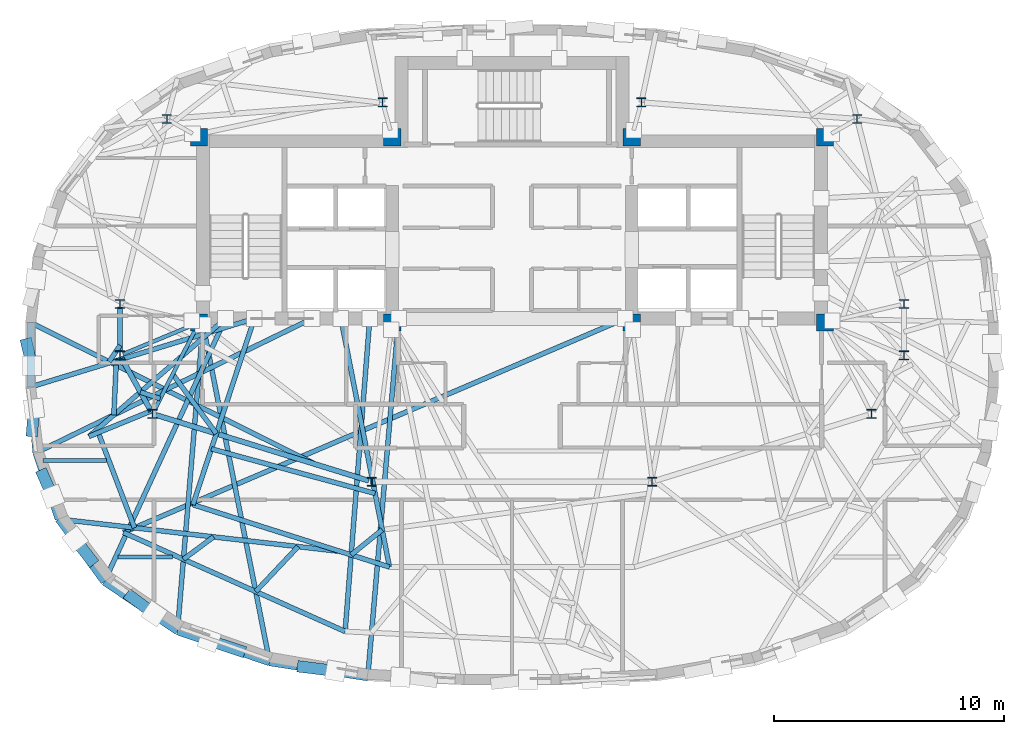
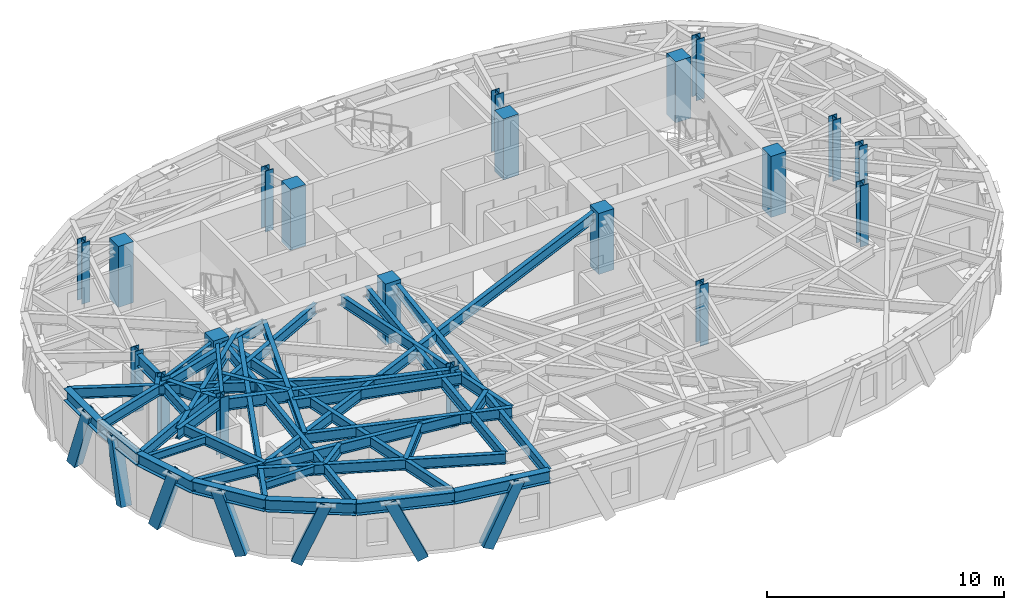
# One storey, part 1 of 12: 39 beams, 20 columns, 7 members.
"""IFC4 building model written with IfcOpenShell, lengths in metres."""

from ifc_helpers import new_model, si_unit, direction, frame, origin, origin_2d, place, context, subcontext, project, spatial, rectangle, hollow_rectangle, i_section, extrude, material, material_profile, profile_set, type_object, element, save


model = new_model("IFC4")

# Units and contexts
model_context = context("Model", 3, precision=1e-05, world=origin(), true_north=direction((0.0, 1.0)))
body_context = subcontext(model_context, "Body", "Model", "MODEL_VIEW")
ifc_project = project(units=[si_unit("LENGTHUNIT", "METRE"), si_unit("AREAUNIT", "SQUARE_METRE"), si_unit("VOLUMEUNIT", "CUBIC_METRE"), si_unit("PLANEANGLEUNIT", "RADIAN"), si_unit("MASSUNIT", "GRAM", prefix="KILO")], contexts=[model_context])

# Site, building, storey
site_placement = place(None, origin())
site = spatial("IfcSite", under=ifc_project, at=site_placement, CompositionType="ELEMENT")
building_placement = place(site_placement, origin())
building = spatial("IfcBuilding", under=site, at=building_placement, Name="Keldmark Tower", CompositionType="ELEMENT")
storey_placement = place(building_placement, frame((0.0, 0.0, 247.800048828125)))
storey = spatial("IfcBuildingStorey", under=building, at=storey_placement, Name="L70", CompositionType="ELEMENT", Elevation=247.800048828125)

# Columns
ifc_material_1 = material(Name="Concrete C50/60", Category="concrete")
ifc_material_profile_1 = material_profile(ifc_material_1, rectangle(XDim=0.75, YDim=0.75, at=origin_2d()), Name="RC750X750")
ifc_profile_set_1 = profile_set([ifc_material_profile_1], Name="Concrete C50/60")
column_type_1 = type_object("IfcColumnType", Name="Core Boundary Column RC750", PredefinedType="PILASTER", material=ifc_profile_set_1)
for number, where, z_axis, x_axis, name in (
    (1, (-13.60009765625, 1.39990234375, 0.0), (0.0, 0.0, 1.0), (1.0, 0.0, 0.0), "L70 Core Boundary Column CC-W1"),
    (2, (-13.60009765625, 9.449951171875, 0.0), (0.0, 0.0, 1.0), (1.0, 0.0, 0.0), "L70 Core Boundary Column CC-W2"),
    (3, (-5.199951171875, 1.39990234375, 0.0), (0.0, 0.0, 1.0), (1.0, 0.0, 0.0), "L70 Core Boundary Column CC-W3"),
    (4, (-5.199951171875, 9.449951171875, 0.0), (0.0, 0.0, 1.0), (1.0, 0.0, 0.0), "L70 Core Boundary Column CC-W4"),
    (5, (5.199951171875, 1.39990234375, 0.0), (0.0, 0.0, 1.0), (1.0, 0.0, 0.0), "L70 Core Boundary Column CC-E1"),
    (6, (5.199951171875, 9.449951171875, 0.0), (0.0, 0.0, 1.0), (1.0, 0.0, 0.0), "L70 Core Boundary Column CC-E2"),
    (7, (13.60009765625, 1.39990234375, 0.0), (0.0, 0.0, 1.0), (1.0, 0.0, 0.0), "L70 Core Boundary Column CC-E3"),
    (8, (13.60009765625, 9.449951171875, 0.0), (0.0, 0.0, 1.0), (1.0, 0.0, 0.0), "L70 Core Boundary Column CC-E4"),
):
    element("IfcColumn", number, at=place(storey_placement, frame(where, z_axis=z_axis, x_axis=x_axis)), inside=storey, type_object=column_type_1, Name=name, PredefinedType="PILASTER", context=body_context, shape_type="SweptSolid", body=[
        extrude(rectangle(XDim=0.75, YDim=0.75, at=origin_2d()), origin(), (0.0, 0.0, 1.0), 3.14990234375),
    ])
ifc_material_2 = material(Name="Steel ASTM A992 Grade 50", Category="steel")
ifc_material_profile_2 = material_profile(ifc_material_2, i_section(OverallWidth=0.39892578125, OverallDepth=0.386962890625, WebThickness=0.02099609375, FlangeThickness=0.033203125, at=origin_2d()), Name="W14X176")
ifc_profile_set_2 = profile_set([ifc_material_profile_2], Name="Steel ASTM A992 Grade 50")
column_type_2 = type_object("IfcColumnType", Name="Tower Gravity Column W14X176", PredefinedType="COLUMN", material=ifc_profile_set_2)
for number, where, z_axis, x_axis, name in (
    (9, (17.025634765625, 2.2080078125, 0.0), (0.0, 0.0, 1.0), (1.0, 0.0, 0.0), "L70 Tower Gravity Column TC-E1"),
    (10, (14.995849609375, 10.24365234375, 0.0), (0.0, 0.0, 1.0), (1.0, 0.0, 0.0), "L70 Tower Gravity Column TC-E4"),
    (11, (5.61865234375, 10.967041015625, 0.0), (0.0, 0.0, 1.0), (1.0, 0.0, 0.0), "L70 Tower Gravity Column TC-N2"),
    (12, (-5.61865234375, 10.967041015625, 0.0), (0.0, 0.0, 1.0), (1.0, 0.0, 0.0), "L70 Tower Gravity Column TC-N1"),
    (13, (-14.995849609375, 10.24365234375, 0.0), (0.0, 0.0, 1.0), (1.0, 0.0, 0.0), "L70 Tower Gravity Column TC-W4"),
    (14, (-17.025634765625, 2.2080078125, 0.0), (0.0, 0.0, 1.0), (1.0, 0.0, 0.0), "L70 Tower Gravity Column TC-W1"),
    (15, (-17.025634765625, -0.02392578125, 0.0), (0.0, 0.0, 1.0), (1.0, 0.0, 0.0), "L70 Tower Gravity Column TC-W5"),
    (16, (-15.6162109375, -2.5673828125, 0.0), (0.0, 0.0, 1.0), (1.0, 0.0, 0.0), "L70 Tower Gravity Column TC-W2"),
    (17, (-6.089599609375, -5.512939453125, 0.0), (0.0, 0.0, 1.0), (1.0, 0.0, 0.0), "L70 Tower Gravity Column TC-W3"),
    (18, (6.089599609375, -5.512939453125, 0.0), (0.0, 0.0, 1.0), (1.0, 0.0, 0.0), "L70 Tower Gravity Column TC-E3"),
    (19, (15.6162109375, -2.5673828125, 0.0), (0.0, 0.0, 1.0), (1.0, 0.0, 0.0), "L70 Tower Gravity Column TC-E2"),
    (20, (17.025634765625, -0.02392578125, 0.0), (0.0, 0.0, 1.0), (1.0, 0.0, 0.0), "L70 Tower Gravity Column TC-E5"),
):
    element("IfcColumn", number, at=place(storey_placement, frame(where, z_axis=z_axis, x_axis=x_axis)), inside=storey, type_object=column_type_2, Name=name, PredefinedType="COLUMN", context=body_context, shape_type="SweptSolid", body=[
        extrude(i_section(OverallWidth=0.39892578125, OverallDepth=0.386962890625, WebThickness=0.02099609375, FlangeThickness=0.033203125, at=origin_2d()), origin(), (0.0, 0.0, 1.0), 3.14990234375),
    ])

# Beams
ifc_material_3 = material(Name="Steel ASTM A992 Grade 50", Category="steel")
ifc_material_profile_3 = material_profile(ifc_material_3, i_section(OverallWidth=0.177978515625, OverallDepth=0.403076171875, WebThickness=0.007568359375, FlangeThickness=0.010986328125, at=origin_2d()), Name="W16X36")
ifc_profile_set_3 = profile_set([ifc_material_profile_3], Name="Steel ASTM A992 Grade 50")
beam_type_1 = type_object("IfcBeamType", Name="Composite Floor Joist W16X36", PredefinedType="JOIST", material=ifc_profile_set_3)
beam_1_placement = place(storey_placement, frame((-17.1083984375, -8.780029296875, 2.7685546875), z_axis=(1.0, 0.0, 0.0), x_axis=(0.0, 1.0, 0.0)))
element("IfcBeam", 21, at=beam_1_placement, inside=storey, type_object=beam_type_1, Name="L70 Composite Floor Joist J01", PredefinedType="JOIST", context=body_context, shape_type="SweptSolid", body=[
    extrude(i_section(OverallWidth=0.177978515625, OverallDepth=0.403076171875, WebThickness=0.007568359375, FlangeThickness=0.010986328125, at=origin_2d()), origin(), (0.0, 0.0, 1.0), 2.361328125),
])
beam_2_placement = place(storey_placement, frame((-20.3798828125, -4.60009765625, 2.7685546875), z_axis=(1.0, 0.0, 0.0), x_axis=(0.0, 1.0, 0.0)))
element("IfcBeam", 22, at=beam_2_placement, inside=storey, type_object=beam_type_1, Name="L70 Composite Floor Joist J03", PredefinedType="JOIST", context=body_context, shape_type="SweptSolid", body=[
    extrude(i_section(OverallWidth=0.177978515625, OverallDepth=0.403076171875, WebThickness=0.007568359375, FlangeThickness=0.010986328125, at=origin_2d()), origin(), (0.0, 0.0, 1.0), 2.76806640625),
])

# Members
ifc_material_4 = material(Name="Steel ASTM A572 Grade 50", Category="steel")
ifc_material_profile_4 = material_profile(ifc_material_4, hollow_rectangle(XDim=0.5, YDim=0.5, WallThickness=0.030029296875, at=origin_2d()), Name="BOX500X500X30")
ifc_profile_set_4 = profile_set([ifc_material_profile_4], Name="Steel ASTM A572 Grade 50")
member_type = type_object("IfcMemberType", Name="Diagrid Upper Brace BOX500X500X30", PredefinedType="BRACE", material=ifc_profile_set_4)
member_1_placement = place(storey_placement, frame((-21.07470703125, 0.464599609375, -0.260009765625), z_axis=(0.069071309834, -0.28745964234, 0.955298962725), x_axis=(0.972325096708, 0.23363198906, 0.0)))
element("IfcMember", 23, at=member_1_placement, inside=storey, type_object=member_type, Name="L70 Perimeter Diagrid Brace 08B", PredefinedType="BRACE", context=body_context, shape_type="SweptSolid", body=[
    extrude(hollow_rectangle(XDim=0.5, YDim=0.5, WallThickness=0.030029296875, at=origin_2d()), origin(), (0.0, 0.0, 1.0), 3.25537109375),
])
member_2_placement = place(storey_placement, frame((-20.84619140625, -3.3154296875, -0.260009765625), z_axis=(0.02434048137, 0.29882621744, 0.953997082143), x_axis=(-0.996699069196, 0.081184761275, 0.0)))
element("IfcMember", 24, at=member_2_placement, inside=storey, type_object=member_type, Name="L70 Perimeter Diagrid Brace 09A", PredefinedType="BRACE", context=body_context, shape_type="SweptSolid", body=[
    extrude(hollow_rectangle(XDim=0.5, YDim=0.5, WallThickness=0.030029296875, at=origin_2d()), origin(), (0.0, 0.0, 1.0), 3.259765625),
])
member_3_placement = place(storey_placement, frame((-20.374755859375, -5.215087890625, -0.260009765625), z_axis=(0.127139635988, -0.287517418312, 0.949299345374), x_axis=(0.9145724362, 0.404422129641, 0.0)))
element("IfcMember", 25, at=member_3_placement, inside=storey, type_object=member_type, Name="L70 Perimeter Diagrid Brace 09B", PredefinedType="BRACE", context=body_context, shape_type="SweptSolid", body=[
    extrude(hollow_rectangle(XDim=0.5, YDim=0.5, WallThickness=0.030029296875, at=origin_2d()), origin(), (0.0, 0.0, 1.0), 3.27587890625),
])
member_4_placement = place(storey_placement, frame((-18.290283203125, -8.90380859375, -0.260009765625), z_axis=(-0.208257888587, 0.26894132865, 0.940371848571), x_axis=(-0.790659312829, -0.612256360552, 0.0)))
element("IfcMember", 26, at=member_4_placement, inside=storey, type_object=member_type, Name="L70 Perimeter Diagrid Brace 10A", PredefinedType="BRACE", context=body_context, shape_type="SweptSolid", body=[
    extrude(hollow_rectangle(XDim=0.5, YDim=0.5, WallThickness=0.030029296875, at=origin_2d()), origin(), (0.0, 0.0, 1.0), 3.30712890625),
])
member_5_placement = place(storey_placement, frame((-16.55615234375, -10.50341796875, -0.260009765625), z_axis=(0.301251358752, -0.222936195182, 0.92711761483), x_axis=(0.594860573882, 0.803828898237, 0.0)))
element("IfcMember", 27, at=member_5_placement, inside=storey, type_object=member_type, Name="L70 Perimeter Diagrid Brace 10B", PredefinedType="BRACE", context=body_context, shape_type="SweptSolid", body=[
    extrude(hollow_rectangle(XDim=0.5, YDim=0.5, WallThickness=0.030029296875, at=origin_2d()), origin(), (0.0, 0.0, 1.0), 3.354248046875),
])
member_6_placement = place(storey_placement, frame((-11.817138671875, -12.855712890625, -0.260009765625), z_axis=(-0.392945244347, 0.130695917787, 0.910226681667), x_axis=(-0.315606493533, -0.948890162896, 0.0)))
element("IfcMember", 28, at=member_6_placement, inside=storey, type_object=member_type, Name="L70 Perimeter Diagrid Brace 11A", PredefinedType="BRACE", context=body_context, shape_type="SweptSolid", body=[
    extrude(hollow_rectangle(XDim=0.5, YDim=0.5, WallThickness=0.030029296875, at=origin_2d()), origin(), (0.0, 0.0, 1.0), 3.41650390625),
])
member_7_placement = place(storey_placement, frame((-9.098876953125, -13.557373046875, -0.260009765625), z_axis=(0.41965301128, -0.052287669654, 0.906177327969), x_axis=(0.123641349956, 0.9923269706, 0.0)))
element("IfcMember", 29, at=member_7_placement, inside=storey, type_object=member_type, Name="L70 Perimeter Diagrid Brace 11B", PredefinedType="BRACE", context=body_context, shape_type="SweptSolid", body=[
    extrude(hollow_rectangle(XDim=0.5, YDim=0.5, WallThickness=0.030029296875, at=origin_2d()), origin(), (0.0, 0.0, 1.0), 3.431884765625),
])

# Beams
ifc_material_5 = material(Name="Steel ASTM A992 Grade 50", Category="steel")
ifc_material_profile_5 = material_profile(ifc_material_5, i_section(OverallWidth=0.22802734375, OverallDepth=0.60302734375, WebThickness=0.010498046875, FlangeThickness=0.014892578125, at=origin_2d()), Name="W24X68")
ifc_profile_set_5 = profile_set([ifc_material_profile_5], Name="Steel ASTM A992 Grade 50")
beam_type_2 = type_object("IfcBeamType", Name="Primary Floor Girder W24X68", PredefinedType="BEAM", material=ifc_profile_set_5)
beam_3_placement = place(storey_placement, frame((-17.025634765625, 2.068115234375, 2.66845703125), z_axis=(0.0, -1.0, 0.0), x_axis=(1.0, 0.0, 0.0)))
element("IfcBeam", 30, at=beam_3_placement, inside=storey, type_object=beam_type_2, Name="L70 Floor Ring Girder FG-R06", PredefinedType="BEAM", context=body_context, shape_type="SweptSolid", body=[
    extrude(i_section(OverallWidth=0.22802734375, OverallDepth=0.60302734375, WebThickness=0.010498046875, FlangeThickness=0.014892578125, at=origin_2d()), origin(), (0.0, 0.0, 1.0), 1.9521484375),
])
beam_4_placement = place(storey_placement, frame((-16.957763671875, -0.146484375, 2.66845703125), z_axis=(0.484719680408, -0.874669555561, 0.0), x_axis=(0.874669555561, 0.484719680408, 0.0)))
element("IfcBeam", 31, at=beam_4_placement, inside=storey, type_object=beam_type_2, Name="L70 Floor Ring Girder FG-R07", PredefinedType="BEAM", context=body_context, shape_type="SweptSolid", body=[
    extrude(i_section(OverallWidth=0.22802734375, OverallDepth=0.60302734375, WebThickness=0.010498046875, FlangeThickness=0.014892578125, at=origin_2d()), origin(), (0.0, 0.0, 1.0), 2.627685546875),
])
beam_5_placement = place(storey_placement, frame((-15.482421875, -2.60888671875, 2.66845703125), z_axis=(0.955383255089, -0.295368982622, 0.0), x_axis=(0.295368982622, 0.955383255089, 0.0)))
element("IfcBeam", 32, at=beam_5_placement, inside=storey, type_object=beam_type_2, Name="L70 Floor Ring Girder FG-R08", PredefinedType="BEAM", context=body_context, shape_type="SweptSolid", body=[
    extrude(i_section(OverallWidth=0.22802734375, OverallDepth=0.60302734375, WebThickness=0.010498046875, FlangeThickness=0.014892578125, at=origin_2d()), origin(), (0.0, 0.0, 1.0), 9.69140625),
])
ifc_material_6 = material(Name="Steel ASTM A992 Grade 50", Category="steel")
ifc_material_profile_6 = material_profile(ifc_material_6, i_section(OverallWidth=0.166015625, OverallDepth=0.529052734375, WebThickness=0.009765625, FlangeThickness=0.013671875, at=origin_2d()), Name="W21X50")
ifc_profile_set_6 = profile_set([ifc_material_profile_6], Name="Steel ASTM A992 Grade 50")
beam_type_3 = type_object("IfcBeamType", Name="Radial Tie Girder W21X50", PredefinedType="BEAM", material=ifc_profile_set_6)
beam_6_placement = place(storey_placement, frame((-16.896240234375, 0.02978515625, 2.70556640625), z_axis=(0.923403331902, 0.383831065226, 0.0), x_axis=(-0.383831065226, 0.923403331902, 0.0)))
element("IfcBeam", 33, at=beam_6_placement, inside=storey, type_object=beam_type_3, Name="L70 Floor Radial Girder FG-C07", PredefinedType="BEAM", context=body_context, shape_type="SweptSolid", body=[
    extrude(i_section(OverallWidth=0.166015625, OverallDepth=0.529052734375, WebThickness=0.009765625, FlangeThickness=0.013671875, at=origin_2d()), origin(), (0.0, 0.0, 1.0), 3.249755859375),
])
beam_7_placement = place(storey_placement, frame((-15.552734375, -2.442626953125, 2.70556640625), z_axis=(0.453004410574, 0.89150827478, 0.0), x_axis=(-0.89150827478, 0.453004410574, 0.0)))
element("IfcBeam", 34, at=beam_7_placement, inside=storey, type_object=beam_type_3, Name="L70 Floor Radial Girder FG-C08", PredefinedType="BEAM", context=body_context, shape_type="SweptSolid", body=[
    extrude(i_section(OverallWidth=0.166015625, OverallDepth=0.529052734375, WebThickness=0.009765625, FlangeThickness=0.013671875, at=origin_2d()), origin(), (0.0, 0.0, 1.0), 3.990234375),
])
ifc_material_7 = material(Name="Steel ASTM A992 Grade 50", Category="steel")
ifc_material_profile_7 = material_profile(ifc_material_7, i_section(OverallWidth=0.2099609375, OverallDepth=0.537109375, WebThickness=0.010986328125, FlangeThickness=0.017333984375, at=origin_2d()), Name="W21X68")
ifc_profile_set_7 = profile_set([ifc_material_profile_7], Name="Steel ASTM A992 Grade 50")
beam_type_4 = type_object("IfcBeamType", Name="Radial Tie Girder W21X68", PredefinedType="BEAM", material=ifc_profile_set_7)
beam_8_placement = place(storey_placement, frame((-14.7392578125, -0.841796875, 2.701416015625), z_axis=(0.59182597724, -0.806065761997, 0.0), x_axis=(0.806065761997, 0.59182597724, 0.0)))
element("IfcBeam", 35, at=beam_8_placement, inside=storey, type_object=beam_type_4, Name="L70 Framing Pin Header PH-001", PredefinedType="BEAM", context=body_context, shape_type="SweptSolid", body=[
    extrude(i_section(OverallWidth=0.2099609375, OverallDepth=0.537109375, WebThickness=0.010986328125, FlangeThickness=0.017333984375, at=origin_2d()), origin(), (0.0, 0.0, 1.0), 3.204345703125),
])
beam_9_placement = place(storey_placement, frame((-11.19287109375, 1.574951171875, 2.701416015625), z_axis=(-0.313362200082, -0.949633682827, 0.0), x_axis=(0.949633682827, -0.313362200082, 0.0)))
element("IfcBeam", 36, at=beam_9_placement, inside=storey, type_object=beam_type_4, Name="L70 Sub-Ring Step Girder STP1-M08", PredefinedType="BEAM", context=body_context, shape_type="SweptSolid", body=[
    extrude(i_section(OverallWidth=0.2099609375, OverallDepth=0.537109375, WebThickness=0.010986328125, FlangeThickness=0.017333984375, at=origin_2d()), origin(), (0.0, 0.0, 1.0), 8.515625),
])
beam_10_placement = place(storey_placement, frame((-13.060791015625, -4.085693359375, 2.701416015625), z_axis=(0.964803544064, -0.262971712093, 0.0), x_axis=(0.262971712093, 0.964803544064, 0.0)))
element("IfcBeam", 37, at=beam_10_placement, inside=storey, type_object=beam_type_4, Name="L70 Framing Pin Header PH-002", PredefinedType="BEAM", context=body_context, shape_type="SweptSolid", body=[
    extrude(i_section(OverallWidth=0.2099609375, OverallDepth=0.537109375, WebThickness=0.010986328125, FlangeThickness=0.017333984375, at=origin_2d()), origin(), (0.0, 0.0, 1.0), 7.373291015625),
])
beam_11_placement = place(storey_placement, frame((-7.43212890625, 1.574951171875, 2.701416015625), z_axis=(0.191777862453, -0.981438358468, 0.0), x_axis=(0.981438358468, 0.191777862453, 0.0)))
element("IfcBeam", 38, at=beam_11_placement, inside=storey, type_object=beam_type_4, Name="L70 Sub-Ring Step Girder STP1-M09", PredefinedType="BEAM", context=body_context, shape_type="SweptSolid", body=[
    extrude(i_section(OverallWidth=0.2099609375, OverallDepth=0.537109375, WebThickness=0.010986328125, FlangeThickness=0.017333984375, at=origin_2d()), origin(), (0.0, 0.0, 1.0), 11.000244140625),
])
beam_12_placement = place(storey_placement, frame((-13.861328125, -6.51171875, 2.701416015625), z_axis=(0.953164928695, -0.302451018689, 0.0), x_axis=(0.302451018689, 0.953164928695, 0.0)))
element("IfcBeam", 39, at=beam_12_placement, inside=storey, type_object=beam_type_4, Name="L70 Perimeter Collector Ring Beam CRG1-M08", PredefinedType="BEAM", context=body_context, shape_type="SweptSolid", body=[
    extrude(i_section(OverallWidth=0.2099609375, OverallDepth=0.537109375, WebThickness=0.010986328125, FlangeThickness=0.017333984375, at=origin_2d()), origin(), (0.0, 0.0, 1.0), 8.95849609375),
])
beam_13_placement = place(storey_placement, frame((4.925048828125, 1.574951171875, 2.701416015625), z_axis=(-0.919898290676, -0.392157028258, 0.0), x_axis=(0.392157028258, -0.919898290676, 0.0)))
element("IfcBeam", 40, at=beam_13_placement, inside=storey, type_object=beam_type_4, Name="L70 Sub-Ring Step Girder STP2-M08", PredefinedType="BEAM", context=body_context, shape_type="SweptSolid", body=[
    extrude(i_section(OverallWidth=0.2099609375, OverallDepth=0.537109375, WebThickness=0.010986328125, FlangeThickness=0.017333984375, at=origin_2d()), origin(), (0.0, 0.0, 1.0), 23.7021484375),
])
beam_14_placement = place(storey_placement, frame((-5.638916015625, -7.601806640625, 2.701416015625), z_axis=(-0.777438204529, -0.628959329479, 0.0), x_axis=(0.628959329479, -0.777438204529, 0.0)))
element("IfcBeam", 41, at=beam_14_placement, inside=storey, type_object=beam_type_4, Name="L70 Framing Pin Header PH-006", PredefinedType="BEAM", context=body_context, shape_type="SweptSolid", body=[
    extrude(i_section(OverallWidth=0.2099609375, OverallDepth=0.537109375, WebThickness=0.010986328125, FlangeThickness=0.017333984375, at=origin_2d()), origin(), (0.0, 0.0, 1.0), 1.734619140625),
])
beam_15_placement = place(storey_placement, frame((-6.1787109375, 1.574951171875, 2.701416015625), z_axis=(-0.078525492918, -0.996912105936, 0.0), x_axis=(0.996912105936, -0.078525492918, 0.0)))
element("IfcBeam", 42, at=beam_15_placement, inside=storey, type_object=beam_type_4, Name="L70 Sub-Ring Step Girder STP2-M09", PredefinedType="BEAM", context=body_context, shape_type="SweptSolid", body=[
    extrude(i_section(OverallWidth=0.2099609375, OverallDepth=0.537109375, WebThickness=0.010986328125, FlangeThickness=0.017333984375, at=origin_2d()), origin(), (0.0, 0.0, 1.0), 13.63623046875),
])
beam_16_placement = place(storey_placement, frame((-16.87841796875, -7.719970703125, 2.701416015625), z_axis=(0.913113257577, -0.407705995586, 0.0), x_axis=(0.407705995586, 0.913113257577, 0.0)))
element("IfcBeam", 43, at=beam_16_placement, inside=storey, type_object=beam_type_4, Name="L70 Perimeter Collector Ring Beam CRG2-M08", PredefinedType="BEAM", context=body_context, shape_type="SweptSolid", body=[
    extrude(i_section(OverallWidth=0.2099609375, OverallDepth=0.537109375, WebThickness=0.010986328125, FlangeThickness=0.017333984375, at=origin_2d()), origin(), (0.0, 0.0, 1.0), 10.545166015625),
])
beam_17_placement = place(storey_placement, frame((-17.025634765625, 0.40869140625, 2.701416015625), z_axis=(-0.559054680224, -0.829130788549, 0.0), x_axis=(0.829130788549, -0.559054680224, 0.0)))
element("IfcBeam", 44, at=beam_17_placement, inside=storey, type_object=beam_type_4, Name="L70 Framing Pin Header PH-016", PredefinedType="BEAM", context=body_context, shape_type="SweptSolid", body=[
    extrude(i_section(OverallWidth=0.2099609375, OverallDepth=0.537109375, WebThickness=0.010986328125, FlangeThickness=0.017333984375, at=origin_2d()), origin(), (0.0, 0.0, 1.0), 0.8525390625),
])
beam_18_placement = place(storey_placement, frame((-8.5380859375, -4.755859375, 2.701416015625), z_axis=(-0.895396934478, 0.445268828605, 0.0), x_axis=(-0.445268828605, -0.895396934478, 0.0)))
element("IfcBeam", 45, at=beam_18_placement, inside=storey, type_object=beam_type_4, Name="L70 Perimeter Radial Tie Girder RT-16", PredefinedType="BEAM", context=body_context, shape_type="SweptSolid", body=[
    extrude(i_section(OverallWidth=0.2099609375, OverallDepth=0.537109375, WebThickness=0.010986328125, FlangeThickness=0.017333984375, at=origin_2d()), origin(), (0.0, 0.0, 1.0), 13.816650390625),
])
beam_19_placement = place(storey_placement, frame((-11.19287109375, 1.574951171875, 2.701416015625), z_axis=(-0.956289809482, -0.29242058799, 0.0), x_axis=(0.29242058799, -0.956289809482, 0.0)))
element("IfcBeam", 46, at=beam_19_placement, inside=storey, type_object=beam_type_4, Name="L70 Perimeter Radial Tie Girder RT-17", PredefinedType="BEAM", context=body_context, shape_type="SweptSolid", body=[
    extrude(i_section(OverallWidth=0.2099609375, OverallDepth=0.537109375, WebThickness=0.010986328125, FlangeThickness=0.017333984375, at=origin_2d()), origin(), (0.0, 0.0, 1.0), 10.16064453125),
])
beam_20_placement = place(storey_placement, frame((-15.281494140625, -1.908935546875, 2.701416015625), z_axis=(-0.947060345832, 0.321055604766, 0.0), x_axis=(-0.321055604766, -0.947060345832, 0.0)))
element("IfcBeam", 47, at=beam_20_placement, inside=storey, type_object=beam_type_4, Name="L70 Framing Pin Header PH-017", PredefinedType="BEAM", context=body_context, shape_type="SweptSolid", body=[
    extrude(i_section(OverallWidth=0.2099609375, OverallDepth=0.537109375, WebThickness=0.010986328125, FlangeThickness=0.017333984375, at=origin_2d()), origin(), (0.0, 0.0, 1.0), 0.909423828125),
])
beam_21_placement = place(storey_placement, frame((-12.4462890625, 1.574951171875, 2.701416015625), z_axis=(-0.756865043916, -0.653571193748, 0.0), x_axis=(0.653571193748, -0.756865043916, 0.0)))
element("IfcBeam", 48, at=beam_21_placement, inside=storey, type_object=beam_type_4, Name="L70 Intermediate Radial Step Girder RT-18M", PredefinedType="BEAM", context=body_context, shape_type="SweptSolid", body=[
    extrude(i_section(OverallWidth=0.2099609375, OverallDepth=0.537109375, WebThickness=0.010986328125, FlangeThickness=0.017333984375, at=origin_2d()), origin(), (0.0, 0.0, 1.0), 7.835205078125),
])
beam_22_placement = place(storey_placement, frame((-15.68408203125, -2.44482421875, 2.701416015625), z_axis=(-0.925589732763, -0.378528263943, 0.0), x_axis=(0.378528263943, -0.925589732763, 0.0)))
element("IfcBeam", 49, at=beam_22_placement, inside=storey, type_object=beam_type_4, Name="L70 Local Collector Chord RT-18C", PredefinedType="BEAM", context=body_context, shape_type="SweptSolid", body=[
    extrude(i_section(OverallWidth=0.2099609375, OverallDepth=0.537109375, WebThickness=0.010986328125, FlangeThickness=0.017333984375, at=origin_2d()), origin(), (0.0, 0.0, 1.0), 2.908935546875),
])
beam_23_placement = place(storey_placement, frame((-17.197998046875, -0.44921875, 2.701416015625), z_axis=(-0.045315620997, -0.998972719594, 0.0), x_axis=(0.998972719594, -0.045315620997, 0.0)))
element("IfcBeam", 50, at=beam_23_placement, inside=storey, type_object=beam_type_4, Name="L70 Framing Pin Header PH-018", PredefinedType="BEAM", context=body_context, shape_type="SweptSolid", body=[
    extrude(i_section(OverallWidth=0.2099609375, OverallDepth=0.537109375, WebThickness=0.010986328125, FlangeThickness=0.017333984375, at=origin_2d()), origin(), (0.0, 0.0, 1.0), 2.165771484375),
])
beam_24_placement = place(storey_placement, frame((-8.685791015625, 1.574951171875, 2.701416015625), z_axis=(-0.899272512608, -0.437388783656, 0.0), x_axis=(0.437388783656, -0.899272512608, 0.0)))
element("IfcBeam", 51, at=beam_24_placement, inside=storey, type_object=beam_type_4, Name="L70 Perimeter Radial Tie Girder RT-18", PredefinedType="BEAM", context=body_context, shape_type="SweptSolid", body=[
    extrude(i_section(OverallWidth=0.2099609375, OverallDepth=0.537109375, WebThickness=0.010986328125, FlangeThickness=0.017333984375, at=origin_2d()), origin(), (0.0, 0.0, 1.0), 13.31591796875),
])
beam_25_placement = place(storey_placement, frame((-17.97265625, -3.380615234375, 2.701416015625), z_axis=(0.355600599301, -0.934638012161, 0.0), x_axis=(0.934638012161, 0.355600599301, 0.0)))
element("IfcBeam", 52, at=beam_25_placement, inside=storey, type_object=beam_type_4, Name="L70 Framing Pin Header PH-019", PredefinedType="BEAM", context=body_context, shape_type="SweptSolid", body=[
    extrude(i_section(OverallWidth=0.2099609375, OverallDepth=0.537109375, WebThickness=0.010986328125, FlangeThickness=0.017333984375, at=origin_2d()), origin(), (0.0, 0.0, 1.0), 4.424072265625),
])
beam_26_placement = place(storey_placement, frame((-7.457275390625, -8.543701171875, 2.701416015625), z_axis=(-0.993455904904, 0.114216307994, 0.0), x_axis=(-0.114216307994, -0.993455904904, 0.0)))
element("IfcBeam", 53, at=beam_26_placement, inside=storey, type_object=beam_type_4, Name="L70 Perimeter Radial Tie Girder RT-19", PredefinedType="BEAM", context=body_context, shape_type="SweptSolid", body=[
    extrude(i_section(OverallWidth=0.2099609375, OverallDepth=0.537109375, WebThickness=0.010986328125, FlangeThickness=0.017333984375, at=origin_2d()), origin(), (0.0, 0.0, 1.0), 12.31640625),
])
beam_27_placement = place(storey_placement, frame((-12.4462890625, 1.574951171875, 2.701416015625), z_axis=(-0.418258219011, -0.908328168797, 0.0), x_axis=(0.908328168797, -0.418258219011, 0.0)))
element("IfcBeam", 54, at=beam_27_placement, inside=storey, type_object=beam_type_4, Name="L70 Perimeter Radial Tie Girder RT-20", PredefinedType="BEAM", context=body_context, shape_type="SweptSolid", body=[
    extrude(i_section(OverallWidth=0.2099609375, OverallDepth=0.537109375, WebThickness=0.010986328125, FlangeThickness=0.017333984375, at=origin_2d()), origin(), (0.0, 0.0, 1.0), 12.58251953125),
])
beam_28_placement = place(storey_placement, frame((-12.96337890625, -7.91064453125, 2.701416015625), z_axis=(-0.802846171053, -0.596186234012, 0.0), x_axis=(0.596186234012, -0.802846171053, 0.0)))
element("IfcBeam", 55, at=beam_28_placement, inside=storey, type_object=beam_type_4, Name="L70 Framing Pin Header PH-020", PredefinedType="BEAM", context=body_context, shape_type="SweptSolid", body=[
    extrude(i_section(OverallWidth=0.2099609375, OverallDepth=0.537109375, WebThickness=0.010986328125, FlangeThickness=0.017333984375, at=origin_2d()), origin(), (0.0, 0.0, 1.0), 1.63134765625),
])
beam_29_placement = place(storey_placement, frame((-13.425048828125, 1.300048828125, 2.701416015625), z_axis=(-0.083006139191, -0.996549035851, 0.0), x_axis=(0.996549035851, -0.083006139191, 0.0)))
element("IfcBeam", 56, at=beam_29_placement, inside=storey, type_object=beam_type_4, Name="L70 Perimeter Radial Tie Girder RT-21", PredefinedType="BEAM", context=body_context, shape_type="SweptSolid", body=[
    extrude(i_section(OverallWidth=0.2099609375, OverallDepth=0.537109375, WebThickness=0.010986328125, FlangeThickness=0.017333984375, at=origin_2d()), origin(), (0.0, 0.0, 1.0), 13.353271484375),
])
beam_30_placement = place(storey_placement, frame((-9.29248046875, -8.332763671875, 2.701416015625), z_axis=(-0.685917909084, -0.727678927823, 0.0), x_axis=(0.727678927823, -0.685917909084, 0.0)))
element("IfcBeam", 57, at=beam_30_placement, inside=storey, type_object=beam_type_4, Name="L70 Framing Pin Header PH-021", PredefinedType="BEAM", context=body_context, shape_type="SweptSolid", body=[
    extrude(i_section(OverallWidth=0.2099609375, OverallDepth=0.537109375, WebThickness=0.010986328125, FlangeThickness=0.017333984375, at=origin_2d()), origin(), (0.0, 0.0, 1.0), 2.683349609375),
])
beam_31_placement = place(storey_placement, frame((-13.425048828125, 1.300048828125, 2.701416015625), z_axis=(0.194085114748, -0.98098469317, 0.0), x_axis=(0.98098469317, 0.194085114748, 0.0)))
element("IfcBeam", 58, at=beam_31_placement, inside=storey, type_object=beam_type_4, Name="L70 Perimeter Radial Tie Girder RT-22", PredefinedType="BEAM", context=body_context, shape_type="SweptSolid", body=[
    extrude(i_section(OverallWidth=0.2099609375, OverallDepth=0.537109375, WebThickness=0.010986328125, FlangeThickness=0.017333984375, at=origin_2d()), origin(), (0.0, 0.0, 1.0), 14.936279296875),
])
beam_32_placement = place(storey_placement, frame((-4.925048828125, 1.574951171875, 2.701416015625), z_axis=(-0.085818619319, -0.996310777106, 0.0), x_axis=(0.996310777106, -0.085818619319, 0.0)))
element("IfcBeam", 59, at=beam_32_placement, inside=storey, type_object=beam_type_4, Name="L70 Perimeter Radial Tie Girder RT-23", PredefinedType="BEAM", context=body_context, shape_type="SweptSolid", body=[
    extrude(i_section(OverallWidth=0.2099609375, OverallDepth=0.537109375, WebThickness=0.010986328125, FlangeThickness=0.017333984375, at=origin_2d()), origin(), (0.0, 0.0, 1.0), 15.640869140625),
])
ifc_material_8 = material(Name="Steel ASTM A992 Grade 50", Category="steel")
ifc_material_profile_8 = material_profile(ifc_material_8, i_section(OverallWidth=0.326904296875, OverallDepth=0.6220703125, WebThickness=0.015380859375, FlangeThickness=0.0244140625, at=origin_2d()), Name="W24X131")
ifc_profile_set_8 = profile_set([ifc_material_profile_8], Name="Steel ASTM A992 Grade 50")
beam_type_5 = type_object("IfcBeamType", Name="Spandrel Ring Beam W24X131", PredefinedType="SPANDREL", material=ifc_profile_set_8)
beam_33_placement = place(storey_placement, frame((-20.909423828125, 1.396240234375, 2.658935546875), z_axis=(0.0, -1.0, 0.0), x_axis=(1.0, 0.0, 0.0)))
element("IfcBeam", 60, at=beam_33_placement, inside=storey, type_object=beam_type_5, Name="L70 Perimeter Spandrel Ring Beam SRB-16", PredefinedType="SPANDREL", context=body_context, shape_type="SweptSolid", body=[
    extrude(i_section(OverallWidth=0.326904296875, OverallDepth=0.6220703125, WebThickness=0.015380859375, FlangeThickness=0.0244140625, at=origin_2d()), origin(), (0.0, 0.0, 1.0), 2.79248046875),
])
beam_34_placement = place(storey_placement, frame((-20.909423828125, -1.396240234375, 2.658935546875), z_axis=(0.086953331659, -0.996212386047, 0.0), x_axis=(0.996212386047, 0.086953331659, 0.0)))
element("IfcBeam", 61, at=beam_34_placement, inside=storey, type_object=beam_type_5, Name="L70 Perimeter Spandrel Ring Beam SRB-17", PredefinedType="SPANDREL", context=body_context, shape_type="SweptSolid", body=[
    extrude(i_section(OverallWidth=0.326904296875, OverallDepth=0.6220703125, WebThickness=0.015380859375, FlangeThickness=0.0244140625, at=origin_2d()), origin(), (0.0, 0.0, 1.0), 2.86376953125),
])
beam_35_placement = place(storey_placement, frame((-20.660400390625, -4.249267578125, 2.658935546875), z_axis=(0.317622332961, -0.948217302945, 0.0), x_axis=(0.948217302945, 0.317622332961, 0.0)))
element("IfcBeam", 62, at=beam_35_placement, inside=storey, type_object=beam_type_5, Name="L70 Perimeter Spandrel Ring Beam SRB-18", PredefinedType="SPANDREL", context=body_context, shape_type="SweptSolid", body=[
    extrude(i_section(OverallWidth=0.326904296875, OverallDepth=0.6220703125, WebThickness=0.015380859375, FlangeThickness=0.0244140625, at=origin_2d()), origin(), (0.0, 0.0, 1.0), 3.04541015625),
])
beam_36_placement = place(storey_placement, frame((-19.693115234375, -7.136962890625, 2.658935546875), z_axis=(0.589745465015, -0.807589181759, 0.0), x_axis=(0.807589181759, 0.589745465015, 0.0)))
element("IfcBeam", 63, at=beam_36_placement, inside=storey, type_object=beam_type_5, Name="L70 Perimeter Spandrel Ring Beam SRB-19", PredefinedType="SPANDREL", context=body_context, shape_type="SweptSolid", body=[
    extrude(i_section(OverallWidth=0.326904296875, OverallDepth=0.6220703125, WebThickness=0.015380859375, FlangeThickness=0.0244140625, at=origin_2d()), origin(), (0.0, 0.0, 1.0), 3.364501953125),
])
beam_37_placement = place(storey_placement, frame((-17.708984375, -9.85400390625, 2.658935546875), z_axis=(0.827687958421, -0.561188598855, 0.0), x_axis=(0.561188598855, 0.827687958421, 0.0)))
element("IfcBeam", 64, at=beam_37_placement, inside=storey, type_object=beam_type_5, Name="L70 Perimeter Spandrel Ring Beam SRB-20", PredefinedType="SPANDREL", context=body_context, shape_type="SweptSolid", body=[
    extrude(i_section(OverallWidth=0.326904296875, OverallDepth=0.6220703125, WebThickness=0.015380859375, FlangeThickness=0.0244140625, at=origin_2d()), origin(), (0.0, 0.0, 1.0), 3.836669921875),
])
beam_38_placement = place(storey_placement, frame((-14.533447265625, -12.007080078125, 2.658935546875), z_axis=(0.948011196326, -0.318236974032, 0.0), x_axis=(0.318236974032, 0.948011196326, 0.0)))
element("IfcBeam", 65, at=beam_38_placement, inside=storey, type_object=beam_type_5, Name="L70 Perimeter Spandrel Ring Beam SRB-21", PredefinedType="SPANDREL", context=body_context, shape_type="SweptSolid", body=[
    extrude(i_section(OverallWidth=0.326904296875, OverallDepth=0.6220703125, WebThickness=0.015380859375, FlangeThickness=0.0244140625, at=origin_2d()), origin(), (0.0, 0.0, 1.0), 4.22705078125),
])
beam_39_placement = place(storey_placement, frame((-10.526123046875, -13.352294921875, 2.658935546875), z_axis=(0.988343515408, -0.152240256014, 0.0), x_axis=(0.152240256014, 0.988343515408, 0.0)))
element("IfcBeam", 66, at=beam_39_placement, inside=storey, type_object=beam_type_5, Name="L70 Perimeter Spandrel Ring Beam SRB-22", PredefinedType="SPANDREL", context=body_context, shape_type="SweptSolid", body=[
    extrude(i_section(OverallWidth=0.326904296875, OverallDepth=0.6220703125, WebThickness=0.015380859375, FlangeThickness=0.0244140625, at=origin_2d()), origin(), (0.0, 0.0, 1.0), 4.30908203125),
])

save(model, "model.ifc")
